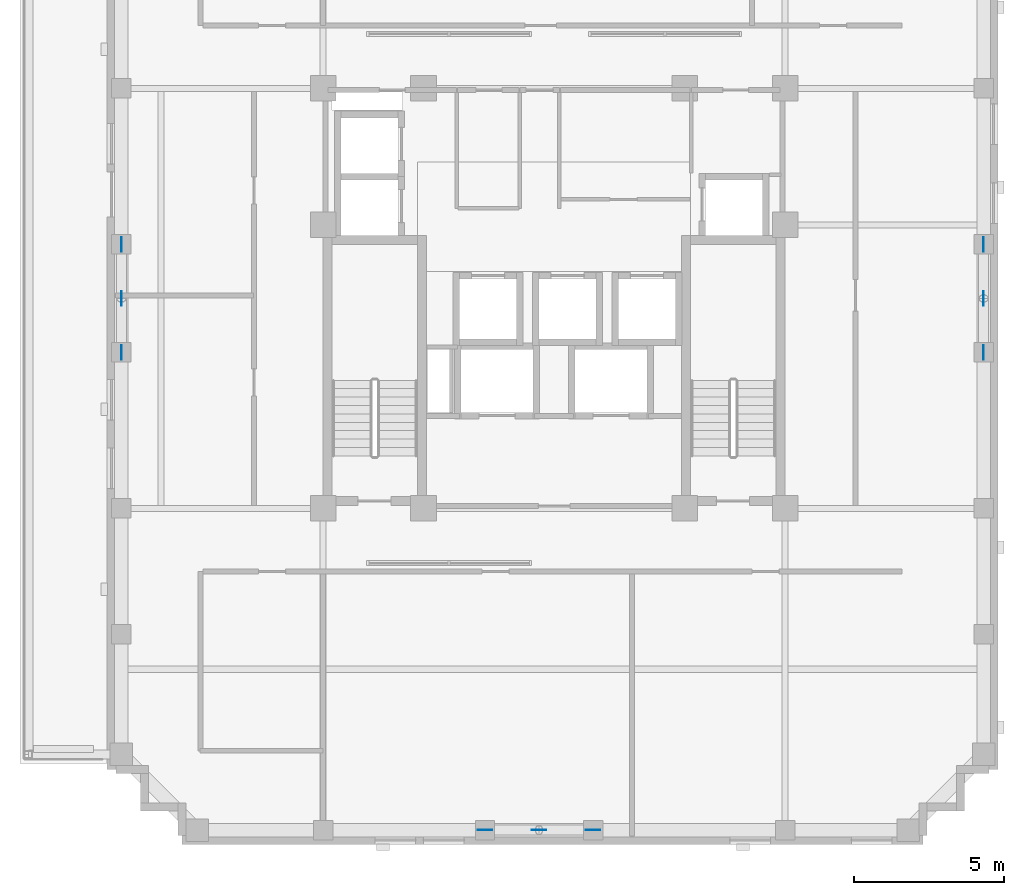
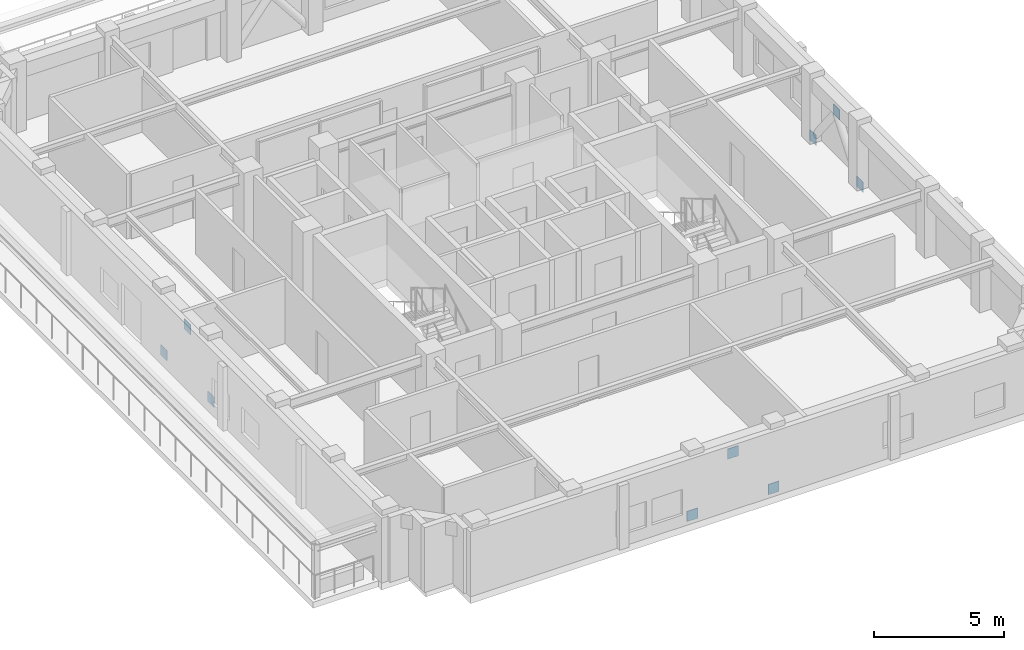
# One storey, part 11 of 14: 9 discrete accessories.
"""IFC4 building model written with IfcOpenShell, lengths in metres."""

from ifc_helpers import new_model, si_unit, derived_unit, direction, frame, origin, origin_2d, place, context, subcontext, project, spatial, rectangle, extrude, material, layer, layer_set, type_object, element, save


model = new_model("IFC4")

# Units and contexts
model_context = context("Model", 3, precision=1e-05, world=origin(), true_north=direction((0.0, 1.0)))
body_context = subcontext(model_context, "Body", "Model", "MODEL_VIEW")
ifc_project = project(units=[si_unit("LENGTHUNIT", "METRE"), si_unit("AREAUNIT", "SQUARE_METRE"), si_unit("VOLUMEUNIT", "CUBIC_METRE"), si_unit("PLANEANGLEUNIT", "RADIAN"), si_unit("MASSUNIT", "GRAM", prefix="KILO"), derived_unit("THERMALTRANSMITTANCEUNIT", [(si_unit("MASSUNIT", "GRAM", prefix="KILO"), 1), (si_unit("TIMEUNIT", "SECOND"), -3), (si_unit("THERMODYNAMICTEMPERATUREUNIT", "KELVIN"), -1)])], contexts=[model_context])

# Site, building, storey
site_placement = place(None, origin())
site = spatial("IfcSite", under=ifc_project, at=site_placement, CompositionType="ELEMENT")
building_placement = place(site_placement, origin())
building = spatial("IfcBuilding", under=site, at=building_placement, Name="Korrvale Station Residences", CompositionType="ELEMENT")
storey_placement = place(building_placement, frame((0.0, 0.0, 174.39990234375)))
storey = spatial("IfcBuildingStorey", under=building, at=storey_placement, Name="L50", CompositionType="ELEMENT", Elevation=174.39990234375)

# Discrete accessories
ifc_material = material(Name="Steel S355", Category="steel")
ifc_layer = layer(ifc_material, 0.02490234375, Name="Steel S355")
ifc_layer_set = layer_set([ifc_layer], Name="Steel S355")
discrete_accessory_type = type_object("IfcDiscreteAccessoryType", Name="ACC-GUSSET-25", PredefinedType="BRACKET", material=ifc_layer_set)
for number, where, z_axis, x_axis, name in (
    (1, (23.199951171875, 4.280029296875, -0.219970703125), (0.0, 0.0, 1.0), (1.0, 0.0, 0.0), "L50 S Brace End Gusset Connection A"),
    (2, (26.800048828125, 4.280029296875, -0.219970703125), (0.0, 0.0, 1.0), (1.0, 0.0, 0.0), "L50 S Brace End Gusset Connection B"),
    (3, (25.0, 4.280029296875, 2.070068359375), (0.0, 0.0, 1.0), (1.0, 0.0, 0.0), "L50 S Brace End Gusset Connection M"),
    (4, (11.080078125, 20.199951171875, -0.219970703125), (0.0, 0.0, 1.0), (0.0, 1.0, 0.0), "L50 W Brace End Gusset Connection A"),
    (5, (11.080078125, 23.800048828125, -0.219970703125), (0.0, 0.0, 1.0), (0.0, 1.0, 0.0), "L50 W Brace End Gusset Connection B"),
    (6, (11.080078125, 22.0, 2.070068359375), (0.0, 0.0, 1.0), (0.0, 1.0, 0.0), "L50 W Brace End Gusset Connection M"),
    (7, (39.820068359375, 20.199951171875, -0.219970703125), (0.0, 0.0, 1.0), (0.0, 1.0, 0.0), "L50 E Brace End Gusset Connection A"),
    (8, (39.820068359375, 23.800048828125, -0.219970703125), (0.0, 0.0, 1.0), (0.0, 1.0, 0.0), "L50 E Brace End Gusset Connection B"),
    (9, (39.820068359375, 22.0, 2.070068359375), (0.0, 0.0, 1.0), (0.0, 1.0, 0.0), "L50 E Brace End Gusset Connection M"),
):
    element("IfcDiscreteAccessory", number, at=place(storey_placement, frame(where, z_axis=z_axis, x_axis=x_axis)), inside=storey, type_object=discrete_accessory_type, Name=name, PredefinedType="BRACKET", context=body_context, shape_type="SweptSolid", body=[
        extrude(rectangle(XDim=0.47998046875, YDim=0.02490234375, at=origin_2d()), origin(), (0.0, 0.0, 1.0), 0.47998046875),
    ])

save(model, "model.ifc")
